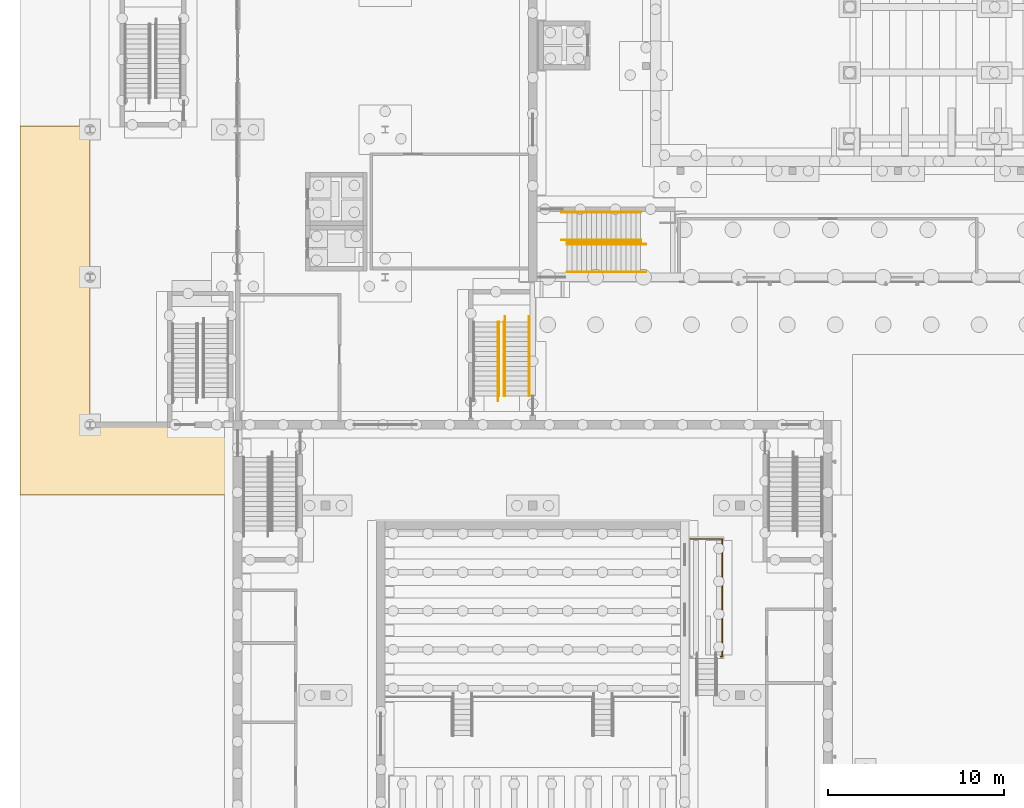
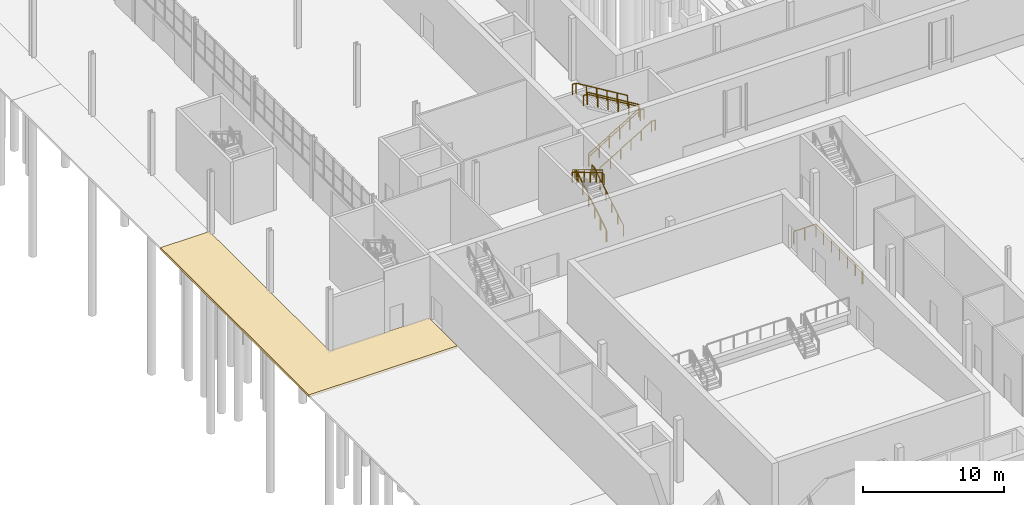
# One storey, part 99 of 127: 12 railings, 1 covering.
"""IFC4 building model written with IfcOpenShell, lengths in metres."""

from ifc_helpers import new_model, si_unit, direction, frame, origin, origin_2d, place, context, subcontext, project, spatial, polyline, circle, outline, extrude, material, layer, layer_set, type_object, element, save


model = new_model("IFC4")

# Units and contexts
model_context = context("Model", 3, precision=1e-05, world=origin(), true_north=direction((0.0, 1.0)))
body_context = subcontext(model_context, "Body", "Model", "MODEL_VIEW")
ifc_project = project(units=[si_unit("LENGTHUNIT", "METRE"), si_unit("AREAUNIT", "SQUARE_METRE"), si_unit("VOLUMEUNIT", "CUBIC_METRE"), si_unit("PLANEANGLEUNIT", "RADIAN"), si_unit("MASSUNIT", "GRAM", prefix="KILO")], contexts=[model_context])

# Site, building, storey
site_placement = place(None, origin())
site = spatial("IfcSite", under=ifc_project, at=site_placement, CompositionType="ELEMENT")
building_placement = place(site_placement, origin())
building = spatial("IfcBuilding", under=site, at=building_placement, Name="Ljudholm Concert House", CompositionType="ELEMENT")
storey_placement = place(building_placement, origin())
storey = spatial("IfcBuildingStorey", under=building, at=storey_placement, Name="L00", CompositionType="ELEMENT", Elevation=0.0)

# Railings
ifc_material_1 = material(Name="Steel ASTM A36", Category="steel")
railing_type_1 = type_object("IfcRailingType", Name="GUARD 1100", PredefinedType="GUARDRAIL", material=ifc_material_1)
railing_1_placement = place(storey_placement, frame((31.14990234375, 56.324951171875, 0.168701171875)))
element("IfcRailing", 1, at=railing_1_placement, inside=storey, type_object=railing_type_1, Name="Guard", PredefinedType="GUARDRAIL", context=body_context, shape_type="SweptSolid", body=[
    extrude(circle(Radius=0.02490234375, at=origin_2d()), frame((0.0, 0.0, 1.0751953125), z_axis=(0.856459004192, 0.0, 0.516215046409), x_axis=(0.0, 1.0, 0.0)), (0.0, 0.0, 1.0), 0.98095703125),
    extrude(circle(Radius=0.02490234375, at=origin_2d()), frame((0.840087890625, 0.0, 1.58154296875), z_axis=(0.856569041035, 0.0, 0.516032438845), x_axis=(0.0, 1.0, 0.0)), (0.0, 0.0, 1.0), 0.980712890625),
    extrude(circle(Radius=0.02490234375, at=origin_2d()), frame((1.68017578125, 0.0, 2.08740234375), z_axis=(0.856392657067, 0.0, 0.516325107778), x_axis=(0.0, 1.0, 0.0)), (0.0, 0.0, 1.0), 0.980712890625),
    extrude(circle(Radius=0.02490234375, at=origin_2d()), frame((2.52001953125, 0.0, 2.59375), z_axis=(0.856459004192, 0.0, 0.516215046409), x_axis=(0.0, 1.0, 0.0)), (0.0, 0.0, 1.0), 0.98095703125),
    extrude(circle(Radius=0.02490234375, at=origin_2d()), frame((3.360107421875, 0.0, 3.10009765625), z_axis=(0.856569041035, 0.0, 0.516032438845), x_axis=(0.0, 1.0, 0.0)), (0.0, 0.0, 1.0), 0.980712890625),
    extrude(circle(Radius=0.02099609375, at=origin_2d()), origin(), (0.0, 0.0, 1.0), 1.050048828125),
    extrude(circle(Radius=0.02099609375, at=origin_2d()), frame((0.840087890625, 0.0, 0.50634765625)), (0.0, 0.0, 1.0), 1.050048828125),
    extrude(circle(Radius=0.02099609375, at=origin_2d()), frame((1.68017578125, 0.0, 1.012451171875)), (0.0, 0.0, 1.0), 1.050048828125),
    extrude(circle(Radius=0.02099609375, at=origin_2d()), frame((2.52001953125, 0.0, 1.518798828125)), (0.0, 0.0, 1.0), 1.050048828125),
    extrude(circle(Radius=0.02099609375, at=origin_2d()), frame((3.360107421875, 0.0, 2.025146484375)), (0.0, 0.0, 1.0), 1.050048828125),
    extrude(circle(Radius=0.02099609375, at=origin_2d()), frame((4.2001953125, 0.0, 2.53125)), (0.0, 0.0, 1.0), 1.050048828125),
])
railing_2_placement = place(storey_placement, frame((35.35009765625, 56.47509765625, 2.86865234375)))
element("IfcRailing", 2, at=railing_2_placement, inside=storey, type_object=railing_type_1, Name="Guard", PredefinedType="GUARDRAIL", context=body_context, shape_type="SweptSolid", body=[
    extrude(circle(Radius=0.02490234375, at=origin_2d()), frame((0.0, 0.0, 1.0751953125), z_axis=(-0.856459004192, 0.0, 0.516215046409), x_axis=(0.0, -1.0, 0.0)), (0.0, 0.0, 1.0), 0.98095703125),
    extrude(circle(Radius=0.02490234375, at=origin_2d()), frame((-0.840087890625, 0.0, 1.58154296875), z_axis=(-0.856459004192, 0.0, 0.516215046409), x_axis=(0.0, -1.0, 0.0)), (0.0, 0.0, 1.0), 0.98095703125),
    extrude(circle(Radius=0.02490234375, at=origin_2d()), frame((-1.68017578125, 0.0, 2.087890625), z_axis=(-0.856502732318, 0.0, 0.516142489563), x_axis=(0.0, -1.0, 0.0)), (0.0, 0.0, 1.0), 0.98046875),
    extrude(circle(Radius=0.02490234375, at=origin_2d()), frame((-2.52001953125, 0.0, 2.59375), z_axis=(-0.856459004192, 0.0, 0.516215046409), x_axis=(0.0, -1.0, 0.0)), (0.0, 0.0, 1.0), 0.98095703125),
    extrude(circle(Radius=0.02490234375, at=origin_2d()), frame((-3.360107421875, 0.0, 3.10009765625), z_axis=(-0.856569041035, 0.0, 0.516032438845), x_axis=(0.0, -1.0, 0.0)), (0.0, 0.0, 1.0), 0.980712890625),
    extrude(circle(Radius=0.02099609375, at=origin_2d()), origin(), (0.0, 0.0, 1.0), 1.050048828125),
    extrude(circle(Radius=0.02099609375, at=origin_2d()), frame((-0.840087890625, 0.0, 0.50634765625)), (0.0, 0.0, 1.0), 1.050048828125),
    extrude(circle(Radius=0.02099609375, at=origin_2d()), frame((-1.68017578125, 0.0, 1.0126953125)), (0.0, 0.0, 1.0), 1.050048828125),
    extrude(circle(Radius=0.02099609375, at=origin_2d()), frame((-2.52001953125, 0.0, 1.518798828125)), (0.0, 0.0, 1.0), 1.050048828125),
    extrude(circle(Radius=0.02099609375, at=origin_2d()), frame((-3.360107421875, 0.0, 2.025146484375)), (0.0, 0.0, 1.0), 1.050048828125),
    extrude(circle(Radius=0.02099609375, at=origin_2d()), frame((-4.2001953125, 0.0, 2.53125)), (0.0, 0.0, 1.0), 1.050048828125),
])
railing_3_placement = place(storey_placement, frame((39.89990234375, 32.800048828125, 1.199951171875)))
element("IfcRailing", 3, at=railing_3_placement, inside=storey, type_object=railing_type_1, Name="Landing guard", PredefinedType="GUARDRAIL", context=body_context, shape_type="SweptSolid", body=[
    extrude(circle(Radius=0.02490234375, at=origin_2d()), frame((0.0, 0.0, 1.0751953125), z_axis=(1.0, 0.0, 0.0), x_axis=(0.0, 1.0, 0.0)), (0.0, 0.0, 1.0), 0.10009765625),
    extrude(circle(Radius=0.02490234375, at=origin_2d()), frame((0.10009765625, 0.0, 1.0751953125), z_axis=(0.0, 1.0, 0.0), x_axis=(-1.0, 0.0, 0.0)), (0.0, 0.0, 1.0), 6.699951171875),
    extrude(circle(Radius=0.02490234375, at=origin_2d()), frame((0.10009765625, 6.699951171875, 1.0751953125), z_axis=(-1.0, 0.0, 0.0), x_axis=(0.0, -1.0, 0.0)), (0.0, 0.0, 1.0), 1.800048828125),
    extrude(circle(Radius=0.02099609375, at=origin_2d()), origin(), (0.0, 0.0, 1.0), 1.050048828125),
    extrude(circle(Radius=0.02099609375, at=origin_2d()), frame((0.10009765625, 0.0, 0.0)), (0.0, 0.0, 1.0), 1.050048828125),
    extrude(circle(Radius=0.02099609375, at=origin_2d()), frame((0.10009765625, 1.11669921875, 0.0)), (0.0, 0.0, 1.0), 1.050048828125),
    extrude(circle(Radius=0.02099609375, at=origin_2d()), frame((0.10009765625, 2.2333984375, 0.0)), (0.0, 0.0, 1.0), 1.050048828125),
    extrude(circle(Radius=0.02099609375, at=origin_2d()), frame((0.10009765625, 3.35009765625, 0.0)), (0.0, 0.0, 1.0), 1.050048828125),
    extrude(circle(Radius=0.02099609375, at=origin_2d()), frame((0.10009765625, 4.466552734375, 0.0)), (0.0, 0.0, 1.0), 1.050048828125),
    extrude(circle(Radius=0.02099609375, at=origin_2d()), frame((0.10009765625, 5.583251953125, 0.0)), (0.0, 0.0, 1.0), 1.050048828125),
    extrude(circle(Radius=0.02099609375, at=origin_2d()), frame((0.10009765625, 6.699951171875, 0.0)), (0.0, 0.0, 1.0), 1.050048828125),
    extrude(circle(Radius=0.02099609375, at=origin_2d()), frame((-0.7998046875, 6.699951171875, 0.0)), (0.0, 0.0, 1.0), 1.050048828125),
    extrude(circle(Radius=0.02099609375, at=origin_2d()), frame((-1.699951171875, 6.699951171875, 0.0)), (0.0, 0.0, 1.0), 1.050048828125),
])
railing_4_placement = place(storey_placement, frame((27.574951171875, 47.64990234375, 0.168701171875)))
element("IfcRailing", 4, at=railing_4_placement, inside=storey, type_object=railing_type_1, Name="Guard", PredefinedType="GUARDRAIL", context=body_context, shape_type="SweptSolid", body=[
    extrude(circle(Radius=0.02490234375, at=origin_2d()), frame((0.0, 0.0, 1.0751953125), z_axis=(0.0, 0.856459004192, 0.516215046409), x_axis=(-1.0, 0.0, 0.0)), (0.0, 0.0, 1.0), 0.98095703125),
    extrude(circle(Radius=0.02490234375, at=origin_2d()), frame((0.0, 0.840087890625, 1.58154296875), z_axis=(0.0, 0.856569041035, 0.516032438845), x_axis=(-1.0, 0.0, 0.0)), (0.0, 0.0, 1.0), 0.980712890625),
    extrude(circle(Radius=0.02490234375, at=origin_2d()), frame((0.0, 1.68017578125, 2.08740234375), z_axis=(0.0, 0.856392657067, 0.516325107778), x_axis=(-1.0, 0.0, 0.0)), (0.0, 0.0, 1.0), 0.980712890625),
    extrude(circle(Radius=0.02490234375, at=origin_2d()), frame((0.0, 2.52001953125, 2.59375), z_axis=(0.0, 0.856459004192, 0.516215046409), x_axis=(-1.0, 0.0, 0.0)), (0.0, 0.0, 1.0), 0.98095703125),
    extrude(circle(Radius=0.02490234375, at=origin_2d()), frame((0.0, 3.360107421875, 3.10009765625), z_axis=(0.0, 0.856569041035, 0.516032438845), x_axis=(-1.0, 0.0, 0.0)), (0.0, 0.0, 1.0), 0.980712890625),
    extrude(circle(Radius=0.02099609375, at=origin_2d()), origin(), (0.0, 0.0, 1.0), 1.050048828125),
    extrude(circle(Radius=0.02099609375, at=origin_2d()), frame((0.0, 0.840087890625, 0.50634765625)), (0.0, 0.0, 1.0), 1.050048828125),
    extrude(circle(Radius=0.02099609375, at=origin_2d()), frame((0.0, 1.68017578125, 1.012451171875)), (0.0, 0.0, 1.0), 1.050048828125),
    extrude(circle(Radius=0.02099609375, at=origin_2d()), frame((0.0, 2.52001953125, 1.518798828125)), (0.0, 0.0, 1.0), 1.050048828125),
    extrude(circle(Radius=0.02099609375, at=origin_2d()), frame((0.0, 3.360107421875, 2.025146484375)), (0.0, 0.0, 1.0), 1.050048828125),
    extrude(circle(Radius=0.02099609375, at=origin_2d()), frame((0.0, 4.2001953125, 2.53125)), (0.0, 0.0, 1.0), 1.050048828125),
])
railing_5_placement = place(storey_placement, frame((27.27490234375, 51.85009765625, 2.86865234375)))
element("IfcRailing", 5, at=railing_5_placement, inside=storey, type_object=railing_type_1, Name="Guard", PredefinedType="GUARDRAIL", context=body_context, shape_type="SweptSolid", body=[
    extrude(circle(Radius=0.02490234375, at=origin_2d()), frame((0.0, 0.0, 1.0751953125), z_axis=(0.0, -0.856459004192, 0.516215046409), x_axis=(1.0, 0.0, 0.0)), (0.0, 0.0, 1.0), 0.98095703125),
    extrude(circle(Radius=0.02490234375, at=origin_2d()), frame((0.0, -0.840087890625, 1.58154296875), z_axis=(0.0, -0.856459004192, 0.516215046409), x_axis=(1.0, 0.0, 0.0)), (0.0, 0.0, 1.0), 0.98095703125),
    extrude(circle(Radius=0.02490234375, at=origin_2d()), frame((0.0, -1.68017578125, 2.087890625), z_axis=(0.0, -0.856502732318, 0.516142489563), x_axis=(1.0, 0.0, 0.0)), (0.0, 0.0, 1.0), 0.98046875),
    extrude(circle(Radius=0.02490234375, at=origin_2d()), frame((0.0, -2.52001953125, 2.59375), z_axis=(0.0, -0.856459004192, 0.516215046409), x_axis=(1.0, 0.0, 0.0)), (0.0, 0.0, 1.0), 0.98095703125),
    extrude(circle(Radius=0.02490234375, at=origin_2d()), frame((0.0, -3.360107421875, 3.10009765625), z_axis=(0.0, -0.856569041035, 0.516032438845), x_axis=(1.0, 0.0, 0.0)), (0.0, 0.0, 1.0), 0.980712890625),
    extrude(circle(Radius=0.02099609375, at=origin_2d()), origin(), (0.0, 0.0, 1.0), 1.050048828125),
    extrude(circle(Radius=0.02099609375, at=origin_2d()), frame((0.0, -0.840087890625, 0.50634765625)), (0.0, 0.0, 1.0), 1.050048828125),
    extrude(circle(Radius=0.02099609375, at=origin_2d()), frame((0.0, -1.68017578125, 1.0126953125)), (0.0, 0.0, 1.0), 1.050048828125),
    extrude(circle(Radius=0.02099609375, at=origin_2d()), frame((0.0, -2.52001953125, 1.518798828125)), (0.0, 0.0, 1.0), 1.050048828125),
    extrude(circle(Radius=0.02099609375, at=origin_2d()), frame((0.0, -3.360107421875, 2.025146484375)), (0.0, 0.0, 1.0), 1.050048828125),
    extrude(circle(Radius=0.02099609375, at=origin_2d()), frame((0.0, -4.2001953125, 2.53125)), (0.0, 0.0, 1.0), 1.050048828125),
])
ifc_material_2 = material(Name="Steel ASTM A36", Category="steel")
railing_type_2 = type_object("IfcRailingType", Name="HANDRAIL 900", PredefinedType="HANDRAIL", material=ifc_material_2)
railing_6_placement = place(storey_placement, frame((31.14990234375, 56.27490234375, 0.168701171875)))
element("IfcRailing", 6, at=railing_6_placement, inside=storey, type_object=railing_type_2, Name="Handrail", PredefinedType="HANDRAIL", context=body_context, shape_type="SweptSolid", body=[
    extrude(circle(Radius=0.0224609375, at=origin_2d()), frame((0.0, 0.0, 0.87744140625), z_axis=(0.856459004192, 0.0, 0.516215046409), x_axis=(0.0, 1.0, 0.0)), (0.0, 0.0, 1.0), 0.98095703125),
    extrude(circle(Radius=0.0224609375, at=origin_2d()), frame((0.840087890625, 0.0, 1.3837890625), z_axis=(0.856569041035, 0.0, 0.516032438845), x_axis=(0.0, 1.0, 0.0)), (0.0, 0.0, 1.0), 0.980712890625),
    extrude(circle(Radius=0.0224609375, at=origin_2d()), frame((1.68017578125, 0.0, 1.889892578125), z_axis=(0.856392657067, 0.0, 0.516325107778), x_axis=(0.0, 1.0, 0.0)), (0.0, 0.0, 1.0), 0.980712890625),
    extrude(circle(Radius=0.0224609375, at=origin_2d()), frame((2.52001953125, 0.0, 2.396240234375), z_axis=(0.856459004192, 0.0, 0.516215046409), x_axis=(0.0, 1.0, 0.0)), (0.0, 0.0, 1.0), 0.98095703125),
    extrude(circle(Radius=0.0224609375, at=origin_2d()), frame((3.360107421875, 0.0, 2.902587890625), z_axis=(0.856569041035, 0.0, 0.516032438845), x_axis=(0.0, 1.0, 0.0)), (0.0, 0.0, 1.0), 0.980712890625),
    extrude(circle(Radius=0.0224609375, at=origin_2d()), frame((4.2001953125, 0.0, 3.40869140625), z_axis=(1.0, 0.0, 0.0), x_axis=(0.0, 1.0, 0.0)), (0.0, 0.0, 1.0), 0.2998046875),
    extrude(circle(Radius=0.02099609375, at=origin_2d()), origin(), (0.0, 0.0, 1.0), 0.85498046875),
    extrude(circle(Radius=0.02099609375, at=origin_2d()), frame((0.840087890625, 0.0, 0.50634765625)), (0.0, 0.0, 1.0), 0.85498046875),
    extrude(circle(Radius=0.02099609375, at=origin_2d()), frame((1.68017578125, 0.0, 1.012451171875)), (0.0, 0.0, 1.0), 0.85498046875),
    extrude(circle(Radius=0.02099609375, at=origin_2d()), frame((2.52001953125, 0.0, 1.518798828125)), (0.0, 0.0, 1.0), 0.85498046875),
    extrude(circle(Radius=0.02099609375, at=origin_2d()), frame((3.360107421875, 0.0, 2.025146484375)), (0.0, 0.0, 1.0), 0.85498046875),
    extrude(circle(Radius=0.02099609375, at=origin_2d()), frame((4.2001953125, 0.0, 2.53125)), (0.0, 0.0, 1.0), 0.85498046875),
    extrude(circle(Radius=0.02099609375, at=origin_2d()), frame((4.5, 0.0, 2.53125)), (0.0, 0.0, 1.0), 0.85498046875),
])
railing_7_placement = place(storey_placement, frame((31.14990234375, 54.699951171875, 0.168701171875)))
element("IfcRailing", 7, at=railing_7_placement, inside=storey, type_object=railing_type_2, Name="Handrail", PredefinedType="HANDRAIL", context=body_context, shape_type="SweptSolid", body=[
    extrude(circle(Radius=0.0224609375, at=origin_2d()), frame((0.0, 0.0, 0.87744140625), z_axis=(0.856459004192, 0.0, 0.516215046409), x_axis=(0.0, 1.0, 0.0)), (0.0, 0.0, 1.0), 0.98095703125),
    extrude(circle(Radius=0.0224609375, at=origin_2d()), frame((0.840087890625, 0.0, 1.3837890625), z_axis=(0.856569041035, 0.0, 0.516032438845), x_axis=(0.0, 1.0, 0.0)), (0.0, 0.0, 1.0), 0.980712890625),
    extrude(circle(Radius=0.0224609375, at=origin_2d()), frame((1.68017578125, 0.0, 1.889892578125), z_axis=(0.856392657067, 0.0, 0.516325107778), x_axis=(0.0, 1.0, 0.0)), (0.0, 0.0, 1.0), 0.980712890625),
    extrude(circle(Radius=0.0224609375, at=origin_2d()), frame((2.52001953125, 0.0, 2.396240234375), z_axis=(0.856459004192, 0.0, 0.516215046409), x_axis=(0.0, 1.0, 0.0)), (0.0, 0.0, 1.0), 0.98095703125),
    extrude(circle(Radius=0.0224609375, at=origin_2d()), frame((3.360107421875, 0.0, 2.902587890625), z_axis=(0.856569041035, 0.0, 0.516032438845), x_axis=(0.0, 1.0, 0.0)), (0.0, 0.0, 1.0), 0.980712890625),
    extrude(circle(Radius=0.0224609375, at=origin_2d()), frame((4.2001953125, 0.0, 3.40869140625), z_axis=(1.0, 0.0, 0.0), x_axis=(0.0, 1.0, 0.0)), (0.0, 0.0, 1.0), 0.2998046875),
    extrude(circle(Radius=0.02099609375, at=origin_2d()), origin(), (0.0, 0.0, 1.0), 0.85498046875),
    extrude(circle(Radius=0.02099609375, at=origin_2d()), frame((0.840087890625, 0.0, 0.50634765625)), (0.0, 0.0, 1.0), 0.85498046875),
    extrude(circle(Radius=0.02099609375, at=origin_2d()), frame((1.68017578125, 0.0, 1.012451171875)), (0.0, 0.0, 1.0), 0.85498046875),
    extrude(circle(Radius=0.02099609375, at=origin_2d()), frame((2.52001953125, 0.0, 1.518798828125)), (0.0, 0.0, 1.0), 0.85498046875),
    extrude(circle(Radius=0.02099609375, at=origin_2d()), frame((3.360107421875, 0.0, 2.025146484375)), (0.0, 0.0, 1.0), 0.85498046875),
    extrude(circle(Radius=0.02099609375, at=origin_2d()), frame((4.2001953125, 0.0, 2.53125)), (0.0, 0.0, 1.0), 0.85498046875),
    extrude(circle(Radius=0.02099609375, at=origin_2d()), frame((4.5, 0.0, 2.53125)), (0.0, 0.0, 1.0), 0.85498046875),
])
railing_8_placement = place(storey_placement, frame((35.35009765625, 56.52490234375, 2.86865234375)))
element("IfcRailing", 8, at=railing_8_placement, inside=storey, type_object=railing_type_2, Name="Handrail", PredefinedType="HANDRAIL", context=body_context, shape_type="SweptSolid", body=[
    extrude(circle(Radius=0.0224609375, at=origin_2d()), frame((0.0, 0.0, 0.87744140625), z_axis=(-0.856459004192, 0.0, 0.516215046409), x_axis=(0.0, -1.0, 0.0)), (0.0, 0.0, 1.0), 0.98095703125),
    extrude(circle(Radius=0.0224609375, at=origin_2d()), frame((-0.840087890625, 0.0, 1.3837890625), z_axis=(-0.856459004192, 0.0, 0.516215046409), x_axis=(0.0, -1.0, 0.0)), (0.0, 0.0, 1.0), 0.98095703125),
    extrude(circle(Radius=0.0224609375, at=origin_2d()), frame((-1.68017578125, 0.0, 1.89013671875), z_axis=(-0.856502732318, 0.0, 0.516142489563), x_axis=(0.0, -1.0, 0.0)), (0.0, 0.0, 1.0), 0.98046875),
    extrude(circle(Radius=0.0224609375, at=origin_2d()), frame((-2.52001953125, 0.0, 2.396240234375), z_axis=(-0.856459004192, 0.0, 0.516215046409), x_axis=(0.0, -1.0, 0.0)), (0.0, 0.0, 1.0), 0.98095703125),
    extrude(circle(Radius=0.0224609375, at=origin_2d()), frame((-3.360107421875, 0.0, 2.902587890625), z_axis=(-0.856569041035, 0.0, 0.516032438845), x_axis=(0.0, -1.0, 0.0)), (0.0, 0.0, 1.0), 0.980712890625),
    extrude(circle(Radius=0.0224609375, at=origin_2d()), frame((-4.2001953125, 0.0, 3.40869140625), z_axis=(-1.0, 0.0, 0.0), x_axis=(0.0, -1.0, 0.0)), (0.0, 0.0, 1.0), 0.2998046875),
    extrude(circle(Radius=0.02099609375, at=origin_2d()), origin(), (0.0, 0.0, 1.0), 0.85498046875),
    extrude(circle(Radius=0.02099609375, at=origin_2d()), frame((-0.840087890625, 0.0, 0.50634765625)), (0.0, 0.0, 1.0), 0.85498046875),
    extrude(circle(Radius=0.02099609375, at=origin_2d()), frame((-1.68017578125, 0.0, 1.0126953125)), (0.0, 0.0, 1.0), 0.85498046875),
    extrude(circle(Radius=0.02099609375, at=origin_2d()), frame((-2.52001953125, 0.0, 1.518798828125)), (0.0, 0.0, 1.0), 0.85498046875),
    extrude(circle(Radius=0.02099609375, at=origin_2d()), frame((-3.360107421875, 0.0, 2.025146484375)), (0.0, 0.0, 1.0), 0.85498046875),
    extrude(circle(Radius=0.02099609375, at=origin_2d()), frame((-4.2001953125, 0.0, 2.53125)), (0.0, 0.0, 1.0), 0.85498046875),
    extrude(circle(Radius=0.02099609375, at=origin_2d()), frame((-4.5, 0.0, 2.53125)), (0.0, 0.0, 1.0), 0.85498046875),
])
railing_9_placement = place(storey_placement, frame((35.35009765625, 58.10009765625, 2.86865234375)))
element("IfcRailing", 9, at=railing_9_placement, inside=storey, type_object=railing_type_2, Name="Handrail", PredefinedType="HANDRAIL", context=body_context, shape_type="SweptSolid", body=[
    extrude(circle(Radius=0.0224609375, at=origin_2d()), frame((0.0, 0.0, 0.87744140625), z_axis=(-0.856459004192, 0.0, 0.516215046409), x_axis=(0.0, -1.0, 0.0)), (0.0, 0.0, 1.0), 0.98095703125),
    extrude(circle(Radius=0.0224609375, at=origin_2d()), frame((-0.840087890625, 0.0, 1.3837890625), z_axis=(-0.856459004192, 0.0, 0.516215046409), x_axis=(0.0, -1.0, 0.0)), (0.0, 0.0, 1.0), 0.98095703125),
    extrude(circle(Radius=0.0224609375, at=origin_2d()), frame((-1.68017578125, 0.0, 1.89013671875), z_axis=(-0.856502732318, 0.0, 0.516142489563), x_axis=(0.0, -1.0, 0.0)), (0.0, 0.0, 1.0), 0.98046875),
    extrude(circle(Radius=0.0224609375, at=origin_2d()), frame((-2.52001953125, 0.0, 2.396240234375), z_axis=(-0.856459004192, 0.0, 0.516215046409), x_axis=(0.0, -1.0, 0.0)), (0.0, 0.0, 1.0), 0.98095703125),
    extrude(circle(Radius=0.0224609375, at=origin_2d()), frame((-3.360107421875, 0.0, 2.902587890625), z_axis=(-0.856569041035, 0.0, 0.516032438845), x_axis=(0.0, -1.0, 0.0)), (0.0, 0.0, 1.0), 0.980712890625),
    extrude(circle(Radius=0.0224609375, at=origin_2d()), frame((-4.2001953125, 0.0, 3.40869140625), z_axis=(-1.0, 0.0, 0.0), x_axis=(0.0, -1.0, 0.0)), (0.0, 0.0, 1.0), 0.2998046875),
    extrude(circle(Radius=0.02099609375, at=origin_2d()), origin(), (0.0, 0.0, 1.0), 0.85498046875),
    extrude(circle(Radius=0.02099609375, at=origin_2d()), frame((-0.840087890625, 0.0, 0.50634765625)), (0.0, 0.0, 1.0), 0.85498046875),
    extrude(circle(Radius=0.02099609375, at=origin_2d()), frame((-1.68017578125, 0.0, 1.0126953125)), (0.0, 0.0, 1.0), 0.85498046875),
    extrude(circle(Radius=0.02099609375, at=origin_2d()), frame((-2.52001953125, 0.0, 1.518798828125)), (0.0, 0.0, 1.0), 0.85498046875),
    extrude(circle(Radius=0.02099609375, at=origin_2d()), frame((-3.360107421875, 0.0, 2.025146484375)), (0.0, 0.0, 1.0), 0.85498046875),
    extrude(circle(Radius=0.02099609375, at=origin_2d()), frame((-4.2001953125, 0.0, 2.53125)), (0.0, 0.0, 1.0), 0.85498046875),
    extrude(circle(Radius=0.02099609375, at=origin_2d()), frame((-4.5, 0.0, 2.53125)), (0.0, 0.0, 1.0), 0.85498046875),
])
railing_10_placement = place(storey_placement, frame((27.625, 47.64990234375, 0.168701171875)))
element("IfcRailing", 10, at=railing_10_placement, inside=storey, type_object=railing_type_2, Name="Handrail", PredefinedType="HANDRAIL", context=body_context, shape_type="SweptSolid", body=[
    extrude(circle(Radius=0.0224609375, at=origin_2d()), frame((0.0, 0.0, 0.87744140625), z_axis=(0.0, 0.856459004192, 0.516215046409), x_axis=(-1.0, 0.0, 0.0)), (0.0, 0.0, 1.0), 0.98095703125),
    extrude(circle(Radius=0.0224609375, at=origin_2d()), frame((0.0, 0.840087890625, 1.3837890625), z_axis=(0.0, 0.856569041035, 0.516032438845), x_axis=(-1.0, 0.0, 0.0)), (0.0, 0.0, 1.0), 0.980712890625),
    extrude(circle(Radius=0.0224609375, at=origin_2d()), frame((0.0, 1.68017578125, 1.889892578125), z_axis=(0.0, 0.856392657067, 0.516325107778), x_axis=(-1.0, 0.0, 0.0)), (0.0, 0.0, 1.0), 0.980712890625),
    extrude(circle(Radius=0.0224609375, at=origin_2d()), frame((0.0, 2.52001953125, 2.396240234375), z_axis=(0.0, 0.856459004192, 0.516215046409), x_axis=(-1.0, 0.0, 0.0)), (0.0, 0.0, 1.0), 0.98095703125),
    extrude(circle(Radius=0.0224609375, at=origin_2d()), frame((0.0, 3.360107421875, 2.902587890625), z_axis=(0.0, 0.856569041035, 0.516032438845), x_axis=(-1.0, 0.0, 0.0)), (0.0, 0.0, 1.0), 0.980712890625),
    extrude(circle(Radius=0.0224609375, at=origin_2d()), frame((0.0, 4.2001953125, 3.40869140625), z_axis=(0.0, 1.0, 0.0), x_axis=(-1.0, 0.0, 0.0)), (0.0, 0.0, 1.0), 0.2998046875),
    extrude(circle(Radius=0.02099609375, at=origin_2d()), origin(), (0.0, 0.0, 1.0), 0.85498046875),
    extrude(circle(Radius=0.02099609375, at=origin_2d()), frame((0.0, 0.840087890625, 0.50634765625)), (0.0, 0.0, 1.0), 0.85498046875),
    extrude(circle(Radius=0.02099609375, at=origin_2d()), frame((0.0, 1.68017578125, 1.012451171875)), (0.0, 0.0, 1.0), 0.85498046875),
    extrude(circle(Radius=0.02099609375, at=origin_2d()), frame((0.0, 2.52001953125, 1.518798828125)), (0.0, 0.0, 1.0), 0.85498046875),
    extrude(circle(Radius=0.02099609375, at=origin_2d()), frame((0.0, 3.360107421875, 2.025146484375)), (0.0, 0.0, 1.0), 0.85498046875),
    extrude(circle(Radius=0.02099609375, at=origin_2d()), frame((0.0, 4.2001953125, 2.53125)), (0.0, 0.0, 1.0), 0.85498046875),
    extrude(circle(Radius=0.02099609375, at=origin_2d()), frame((0.0, 4.5, 2.53125)), (0.0, 0.0, 1.0), 0.85498046875),
])
railing_11_placement = place(storey_placement, frame((29.0, 47.64990234375, 0.168701171875)))
element("IfcRailing", 11, at=railing_11_placement, inside=storey, type_object=railing_type_2, Name="Handrail", PredefinedType="HANDRAIL", context=body_context, shape_type="SweptSolid", body=[
    extrude(circle(Radius=0.0224609375, at=origin_2d()), frame((0.0, 0.0, 0.87744140625), z_axis=(0.0, 0.856459004192, 0.516215046409), x_axis=(-1.0, 0.0, 0.0)), (0.0, 0.0, 1.0), 0.98095703125),
    extrude(circle(Radius=0.0224609375, at=origin_2d()), frame((0.0, 0.840087890625, 1.3837890625), z_axis=(0.0, 0.856569041035, 0.516032438845), x_axis=(-1.0, 0.0, 0.0)), (0.0, 0.0, 1.0), 0.980712890625),
    extrude(circle(Radius=0.0224609375, at=origin_2d()), frame((0.0, 1.68017578125, 1.889892578125), z_axis=(0.0, 0.856392657067, 0.516325107778), x_axis=(-1.0, 0.0, 0.0)), (0.0, 0.0, 1.0), 0.980712890625),
    extrude(circle(Radius=0.0224609375, at=origin_2d()), frame((0.0, 2.52001953125, 2.396240234375), z_axis=(0.0, 0.856459004192, 0.516215046409), x_axis=(-1.0, 0.0, 0.0)), (0.0, 0.0, 1.0), 0.98095703125),
    extrude(circle(Radius=0.0224609375, at=origin_2d()), frame((0.0, 3.360107421875, 2.902587890625), z_axis=(0.0, 0.856569041035, 0.516032438845), x_axis=(-1.0, 0.0, 0.0)), (0.0, 0.0, 1.0), 0.980712890625),
    extrude(circle(Radius=0.0224609375, at=origin_2d()), frame((0.0, 4.2001953125, 3.40869140625), z_axis=(0.0, 1.0, 0.0), x_axis=(-1.0, 0.0, 0.0)), (0.0, 0.0, 1.0), 0.2998046875),
    extrude(circle(Radius=0.02099609375, at=origin_2d()), origin(), (0.0, 0.0, 1.0), 0.85498046875),
    extrude(circle(Radius=0.02099609375, at=origin_2d()), frame((0.0, 0.840087890625, 0.50634765625)), (0.0, 0.0, 1.0), 0.85498046875),
    extrude(circle(Radius=0.02099609375, at=origin_2d()), frame((0.0, 1.68017578125, 1.012451171875)), (0.0, 0.0, 1.0), 0.85498046875),
    extrude(circle(Radius=0.02099609375, at=origin_2d()), frame((0.0, 2.52001953125, 1.518798828125)), (0.0, 0.0, 1.0), 0.85498046875),
    extrude(circle(Radius=0.02099609375, at=origin_2d()), frame((0.0, 3.360107421875, 2.025146484375)), (0.0, 0.0, 1.0), 0.85498046875),
    extrude(circle(Radius=0.02099609375, at=origin_2d()), frame((0.0, 4.2001953125, 2.53125)), (0.0, 0.0, 1.0), 0.85498046875),
    extrude(circle(Radius=0.02099609375, at=origin_2d()), frame((0.0, 4.5, 2.53125)), (0.0, 0.0, 1.0), 0.85498046875),
])
railing_12_placement = place(storey_placement, frame((27.22509765625, 51.85009765625, 2.86865234375)))
element("IfcRailing", 12, at=railing_12_placement, inside=storey, type_object=railing_type_2, Name="Handrail", PredefinedType="HANDRAIL", context=body_context, shape_type="SweptSolid", body=[
    extrude(circle(Radius=0.0224609375, at=origin_2d()), frame((0.0, 0.0, 0.87744140625), z_axis=(0.0, -0.856459004192, 0.516215046409), x_axis=(1.0, 0.0, 0.0)), (0.0, 0.0, 1.0), 0.98095703125),
    extrude(circle(Radius=0.0224609375, at=origin_2d()), frame((0.0, -0.840087890625, 1.3837890625), z_axis=(0.0, -0.856459004192, 0.516215046409), x_axis=(1.0, 0.0, 0.0)), (0.0, 0.0, 1.0), 0.98095703125),
    extrude(circle(Radius=0.0224609375, at=origin_2d()), frame((0.0, -1.68017578125, 1.89013671875), z_axis=(0.0, -0.856502732318, 0.516142489563), x_axis=(1.0, 0.0, 0.0)), (0.0, 0.0, 1.0), 0.98046875),
    extrude(circle(Radius=0.0224609375, at=origin_2d()), frame((0.0, -2.52001953125, 2.396240234375), z_axis=(0.0, -0.856459004192, 0.516215046409), x_axis=(1.0, 0.0, 0.0)), (0.0, 0.0, 1.0), 0.98095703125),
    extrude(circle(Radius=0.0224609375, at=origin_2d()), frame((0.0, -3.360107421875, 2.902587890625), z_axis=(0.0, -0.856569041035, 0.516032438845), x_axis=(1.0, 0.0, 0.0)), (0.0, 0.0, 1.0), 0.980712890625),
    extrude(circle(Radius=0.0224609375, at=origin_2d()), frame((0.0, -4.2001953125, 3.40869140625), z_axis=(0.0, -1.0, 0.0), x_axis=(1.0, 0.0, 0.0)), (0.0, 0.0, 1.0), 0.2998046875),
    extrude(circle(Radius=0.02099609375, at=origin_2d()), origin(), (0.0, 0.0, 1.0), 0.85498046875),
    extrude(circle(Radius=0.02099609375, at=origin_2d()), frame((0.0, -0.840087890625, 0.50634765625)), (0.0, 0.0, 1.0), 0.85498046875),
    extrude(circle(Radius=0.02099609375, at=origin_2d()), frame((0.0, -1.68017578125, 1.0126953125)), (0.0, 0.0, 1.0), 0.85498046875),
    extrude(circle(Radius=0.02099609375, at=origin_2d()), frame((0.0, -2.52001953125, 1.518798828125)), (0.0, 0.0, 1.0), 0.85498046875),
    extrude(circle(Radius=0.02099609375, at=origin_2d()), frame((0.0, -3.360107421875, 2.025146484375)), (0.0, 0.0, 1.0), 0.85498046875),
    extrude(circle(Radius=0.02099609375, at=origin_2d()), frame((0.0, -4.2001953125, 2.53125)), (0.0, 0.0, 1.0), 0.85498046875),
    extrude(circle(Radius=0.02099609375, at=origin_2d()), frame((0.0, -4.5, 2.53125)), (0.0, 0.0, 1.0), 0.85498046875),
])

# Covering
ifc_material_3 = material(Name="Precast concrete pavers on compacted sand bed", Category="concrete")
ifc_layer = layer(ifc_material_3, 0.199951171875)
ifc_layer_set = layer_set([ifc_layer], Name="Precast concrete pavers on compacted sand bed")
covering_type = type_object("IfcCoveringType", Name="PRECAST CONCRETE PAVERS ON COMPACTED SAND BED PAVING 200", PredefinedType="USERDEFINED", material=ifc_layer_set)
covering_placement = place(storey_placement, frame((0.0, 0.0, -0.199951171875)))
element("IfcCovering", 13, at=covering_placement, inside=storey, type_object=covering_type, Name="Paving", ObjectType="PAVING", PredefinedType="USERDEFINED", context=body_context, shape_type="SweptSolid", body=[
    extrude(outline(polyline([(0.010009765625, 63.0), (4.0, 63.0), (4.0, 46.0), (12.1298828125, 46.0), (12.1298828125, 42.0), (0.010009765625, 42.0), (0.010009765625, 63.0)])), origin(), (0.0, 0.0, 1.0), 0.199951171875),
])

save(model, "model.ifc")
